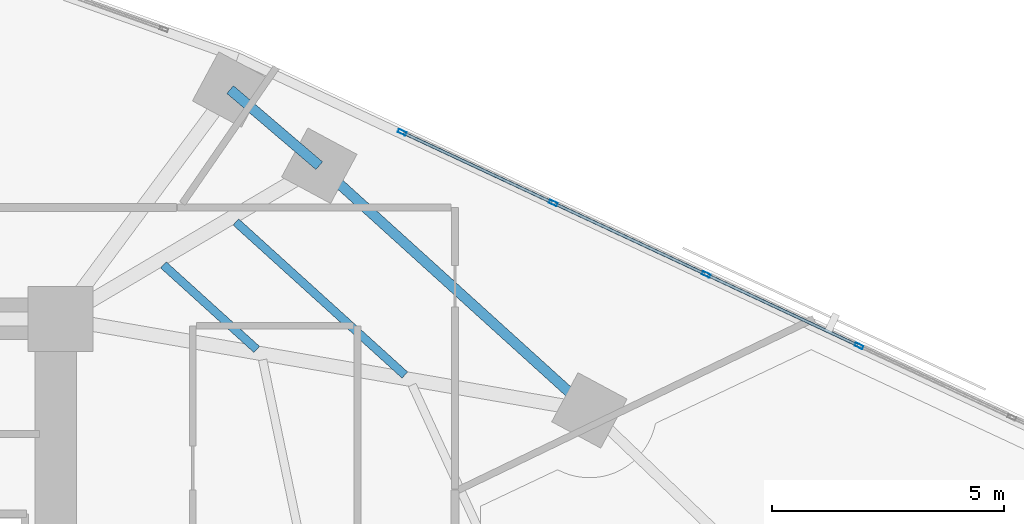
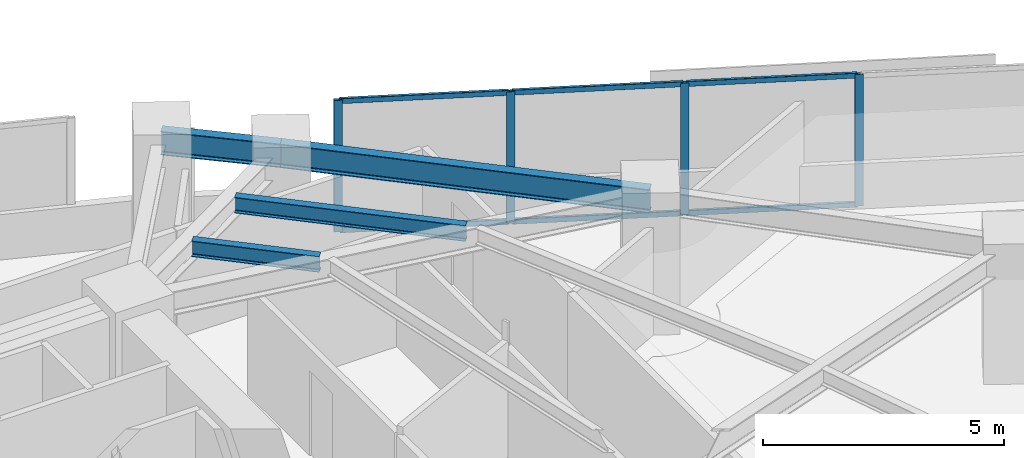
# One storey, part 4 of 16: 10 members, 4 beams, 1 element without a shape of its own.
"""IFC4 building model written with IfcOpenShell, lengths in metres."""

from ifc_helpers import new_model, si_unit, direction, frame, origin, origin_2d, place, context, subcontext, project, spatial, hollow_rectangle, i_section, extrude, material, material_profile, profile_set, type_object, element, aggregate, save


model = new_model("IFC4")

# Units and contexts
model_context = context("Model", 3, precision=1e-05, world=origin(), true_north=direction((0.0, 1.0)))
body_context = subcontext(model_context, "Body", "Model", "MODEL_VIEW")
ifc_project = project(units=[si_unit("LENGTHUNIT", "METRE"), si_unit("AREAUNIT", "SQUARE_METRE"), si_unit("VOLUMEUNIT", "CUBIC_METRE"), si_unit("PLANEANGLEUNIT", "RADIAN"), si_unit("MASSUNIT", "GRAM", prefix="KILO")], contexts=[model_context])

# Site, building, storey
site_placement = place(None, origin())
site = spatial("IfcSite", under=ifc_project, at=site_placement, CompositionType="ELEMENT")
building_placement = place(site_placement, origin())
building = spatial("IfcBuilding", under=site, at=building_placement, Name="Narakoshi Arena Tower", CompositionType="ELEMENT")
storey_placement = place(building_placement, frame((0.0, 0.0, 146.699951171875)))
storey = spatial("IfcBuildingStorey", under=building, at=storey_placement, Name="L39", CompositionType="ELEMENT", Elevation=146.699951171875)

# Beams
ifc_material_1 = material(Name="Structural steel S355J2", Category="steel")
ifc_material_profile_1 = material_profile(ifc_material_1, i_section(OverallWidth=0.219970703125, OverallDepth=0.60009765625, WebThickness=0.011962890625, FlangeThickness=0.01904296875, FilletRadius=0.02392578125, at=origin_2d()), Name="IPE600")
ifc_profile_set_1 = profile_set([ifc_material_profile_1], Name="Structural steel S355J2")
beam_type_1 = type_object("IfcBeamType", Name="BM-EDGE-600", PredefinedType="BEAM", material=ifc_profile_set_1)
beam_1_placement = place(storey_placement, frame((96.9443359375, 54.528076171875, 3.0400390625), z_axis=(-0.741140720169, 0.671349709844, 0.0), x_axis=(-0.671349709844, -0.741140720169, 0.0)))
element("IfcBeam", 1, at=beam_1_placement, inside=storey, type_object=beam_type_1, Name="L39 Perimeter Edge Girder 06", PredefinedType="BEAM", context=body_context, shape_type="SweptSolid", body=[
    extrude(i_section(OverallWidth=0.219970703125, OverallDepth=0.60009765625, WebThickness=0.011962890625, FlangeThickness=0.01904296875, FilletRadius=0.02392578125, at=origin_2d()), origin(), (0.0, 0.0, 1.0), 7.849853515625),
])
beam_2_placement = place(storey_placement, frame((91.12646484375, 59.798095703125, 3.0400390625), z_axis=(-0.760388602298, 0.649468377595, 0.0), x_axis=(-0.649468377595, -0.760388602298, 0.0)))
element("IfcBeam", 2, at=beam_2_placement, inside=storey, type_object=beam_type_1, Name="L39 Perimeter Edge Girder 07", PredefinedType="BEAM", context=body_context, shape_type="SweptSolid", body=[
    extrude(i_section(OverallWidth=0.219970703125, OverallDepth=0.60009765625, WebThickness=0.011962890625, FlangeThickness=0.01904296875, FilletRadius=0.02392578125, at=origin_2d()), origin(), (0.0, 0.0, 1.0), 2.524658203125),
])
ifc_material_profile_2 = material_profile(ifc_material_1, i_section(OverallWidth=0.179931640625, OverallDepth=0.39990234375, WebThickness=0.008544921875, FlangeThickness=0.013427734375, FilletRadius=0.02099609375, at=origin_2d()), Name="IPE400")
ifc_profile_set_2 = profile_set([ifc_material_profile_2], Name="Structural steel S355J2")
beam_type_2 = type_object("IfcBeamType", Name="BM-SEC-400", PredefinedType="JOIST", material=ifc_profile_set_2)
beam_3_placement = place(storey_placement, frame((89.77978515625, 55.84130859375, 3.14013671875), z_axis=(-0.741160441586, 0.671327937619, 0.0), x_axis=(-0.671327937619, -0.741160441586, 0.0)))
element("IfcBeam", 3, at=beam_3_placement, inside=storey, type_object=beam_type_2, Name="L39 Composite Secondary Floor Joist 05", PredefinedType="JOIST", context=body_context, shape_type="SweptSolid", body=[
    extrude(i_section(OverallWidth=0.179931640625, OverallDepth=0.39990234375, WebThickness=0.008544921875, FlangeThickness=0.013427734375, FilletRadius=0.02099609375, at=origin_2d()), origin(), (0.0, 0.0, 1.0), 2.712890625),
])
beam_4_placement = place(storey_placement, frame((92.97021484375, 55.289306640625, 3.14013671875), z_axis=(-0.741144631446, 0.67134539194, 0.0), x_axis=(-0.67134539194, -0.741144631446, 0.0)))
element("IfcBeam", 4, at=beam_4_placement, inside=storey, type_object=beam_type_2, Name="L39 Composite Secondary Floor Joist 06", PredefinedType="JOIST", context=body_context, shape_type="SweptSolid", body=[
    extrude(i_section(OverallWidth=0.179931640625, OverallDepth=0.39990234375, WebThickness=0.008544921875, FlangeThickness=0.013427734375, FilletRadius=0.02099609375, at=origin_2d()), origin(), (0.0, 0.0, 1.0), 4.910888671875),
])

# Curtain wall, members
ifc_material_2 = material(Name="Anodised bronze aluminium 6063-T6", Category="aluminium")
curtain_wall_type = type_object("IfcCurtainWallType", Name="CW-HYP-MID", PredefinedType="NOTDEFINED", material=ifc_material_2)
curtain_wall_placement = place(storey_placement, origin())
curtain_wall = element("IfcCurtainWall", 5, at=curtain_wall_placement, inside=storey, type_object=curtain_wall_type, Name="L39 Folded Hypotenuse Curtain Wall 1-1", PredefinedType="NOTDEFINED")
ifc_material_profile_3 = material_profile(ifc_material_2, hollow_rectangle(XDim=0.074951171875, YDim=0.179931640625, WallThickness=0.00390625, OuterFilletRadius=0.0048828125, at=origin_2d()), Name="MUL180x75x4")
ifc_profile_set_3 = profile_set([ifc_material_profile_3], Name="Anodised bronze aluminium 6063-T6")
member_type_1 = type_object("IfcMemberType", Name="MEM-MUL-180", PredefinedType="MULLION", material=ifc_profile_set_3)
member_1_placement = place(storey_placement, frame((102.75048828125, 55.917236328125, 0.0), z_axis=(0.0, 0.0, 1.0), x_axis=(-0.423531721612, -0.905881273009, 0.0)))
member_1 = element("IfcMember", 6, at=member_1_placement, type_object=member_type_1, Name="CW-02 mullion 6", PredefinedType="MULLION", context=body_context, shape_type="SweptSolid", body=[
    extrude(hollow_rectangle(XDim=0.074951171875, YDim=0.179931640625, WallThickness=0.00390625, OuterFilletRadius=0.0048828125, at=origin_2d()), origin(), (0.0, 0.0, 1.0), 3.340087890625),
])
member_2_placement = place(storey_placement, frame((99.458984375, 57.4560546875, 0.0), z_axis=(0.0, 0.0, 1.0), x_axis=(-0.423531721612, -0.905881273009, 0.0)))
member_2 = element("IfcMember", 7, at=member_2_placement, type_object=member_type_1, Name="CW-02 mullion 7", PredefinedType="MULLION", context=body_context, shape_type="SweptSolid", body=[
    extrude(hollow_rectangle(XDim=0.074951171875, YDim=0.179931640625, WallThickness=0.00390625, OuterFilletRadius=0.0048828125, at=origin_2d()), origin(), (0.0, 0.0, 1.0), 3.340087890625),
])
member_3_placement = place(storey_placement, frame((96.16748046875, 58.994873046875, 0.0), z_axis=(0.0, 0.0, 1.0), x_axis=(-0.423531721612, -0.905881273009, 0.0)))
member_3 = element("IfcMember", 8, at=member_3_placement, type_object=member_type_1, Name="CW-02 mullion 8", PredefinedType="MULLION", context=body_context, shape_type="SweptSolid", body=[
    extrude(hollow_rectangle(XDim=0.074951171875, YDim=0.179931640625, WallThickness=0.00390625, OuterFilletRadius=0.0048828125, at=origin_2d()), origin(), (0.0, 0.0, 1.0), 3.340087890625),
])
member_4_placement = place(storey_placement, frame((92.91015625, 60.517822265625, 0.0), z_axis=(0.0, 0.0, 1.0), x_axis=(-0.423531721612, -0.905881273009, 0.0)))
member_4 = element("IfcMember", 9, at=member_4_placement, type_object=member_type_1, Name="CW-02 mullion 9", PredefinedType="MULLION", context=body_context, shape_type="SweptSolid", body=[
    extrude(hollow_rectangle(XDim=0.074951171875, YDim=0.179931640625, WallThickness=0.00390625, OuterFilletRadius=0.0048828125, at=origin_2d()), origin(), (0.0, 0.0, 1.0), 3.340087890625),
])
ifc_material_profile_4 = material_profile(ifc_material_2, hollow_rectangle(XDim=0.06494140625, YDim=0.1298828125, WallThickness=0.00390625, OuterFilletRadius=0.0048828125, at=origin_2d()), Name="TRN130x65x4")
ifc_profile_set_4 = profile_set([ifc_material_profile_4], Name="Anodised bronze aluminium 6063-T6")
member_type_2 = type_object("IfcMemberType", Name="MEM-TRN-130", PredefinedType="USERDEFINED", material=ifc_profile_set_4)
member_5_placement = place(storey_placement, frame((102.716552734375, 55.93310546875, 0.032470703125), z_axis=(-0.905877908574, 0.423538917642, 0.0), x_axis=(-0.423538917642, -0.905877908574, 0.0)))
member_5 = element("IfcMember", 10, at=member_5_placement, type_object=member_type_2, Name="CW-02 transom 6.1", ObjectType="TRANSOM", PredefinedType="USERDEFINED", context=body_context, shape_type="SweptSolid", body=[
    extrude(hollow_rectangle(XDim=0.06494140625, YDim=0.1298828125, WallThickness=0.00390625, OuterFilletRadius=0.0048828125, at=origin_2d()), origin(), (0.0, 0.0, 1.0), 3.558349609375),
])
member_6_placement = place(storey_placement, frame((102.716552734375, 55.93310546875, 3.3076171875), z_axis=(-0.905877908574, 0.423538917642, 0.0), x_axis=(-0.423538917642, -0.905877908574, 0.0)))
member_6 = element("IfcMember", 11, at=member_6_placement, type_object=member_type_2, Name="CW-02 transom 6.2", ObjectType="TRANSOM", PredefinedType="USERDEFINED", context=body_context, shape_type="SweptSolid", body=[
    extrude(hollow_rectangle(XDim=0.06494140625, YDim=0.1298828125, WallThickness=0.00390625, OuterFilletRadius=0.0048828125, at=origin_2d()), origin(), (0.0, 0.0, 1.0), 3.558349609375),
])
member_7_placement = place(storey_placement, frame((99.425048828125, 57.471923828125, 0.032470703125), z_axis=(-0.905877908574, 0.423538917642, 0.0), x_axis=(-0.423538917642, -0.905877908574, 0.0)))
member_7 = element("IfcMember", 12, at=member_7_placement, type_object=member_type_2, Name="CW-02 transom 7.1", ObjectType="TRANSOM", PredefinedType="USERDEFINED", context=body_context, shape_type="SweptSolid", body=[
    extrude(hollow_rectangle(XDim=0.06494140625, YDim=0.1298828125, WallThickness=0.00390625, OuterFilletRadius=0.0048828125, at=origin_2d()), origin(), (0.0, 0.0, 1.0), 3.558349609375),
])
member_8_placement = place(storey_placement, frame((99.425048828125, 57.471923828125, 3.3076171875), z_axis=(-0.905877908574, 0.423538917642, 0.0), x_axis=(-0.423538917642, -0.905877908574, 0.0)))
member_8 = element("IfcMember", 13, at=member_8_placement, type_object=member_type_2, Name="CW-02 transom 7.2", ObjectType="TRANSOM", PredefinedType="USERDEFINED", context=body_context, shape_type="SweptSolid", body=[
    extrude(hollow_rectangle(XDim=0.06494140625, YDim=0.1298828125, WallThickness=0.00390625, OuterFilletRadius=0.0048828125, at=origin_2d()), origin(), (0.0, 0.0, 1.0), 3.558349609375),
])
member_9_placement = place(storey_placement, frame((96.133544921875, 59.0107421875, 0.032470703125), z_axis=(-0.9058782068, 0.423538279787, 0.0), x_axis=(-0.423538279787, -0.9058782068, 0.0)))
member_9 = element("IfcMember", 14, at=member_9_placement, type_object=member_type_2, Name="CW-02 transom 8.1", ObjectType="TRANSOM", PredefinedType="USERDEFINED", context=body_context, shape_type="SweptSolid", body=[
    extrude(hollow_rectangle(XDim=0.06494140625, YDim=0.1298828125, WallThickness=0.00390625, OuterFilletRadius=0.0048828125, at=origin_2d()), origin(), (0.0, 0.0, 1.0), 3.520751953125),
])
member_10_placement = place(storey_placement, frame((96.133544921875, 59.0107421875, 3.3076171875), z_axis=(-0.9058782068, 0.423538279787, 0.0), x_axis=(-0.423538279787, -0.9058782068, 0.0)))
member_10 = element("IfcMember", 15, at=member_10_placement, type_object=member_type_2, Name="CW-02 transom 8.2", ObjectType="TRANSOM", PredefinedType="USERDEFINED", context=body_context, shape_type="SweptSolid", body=[
    extrude(hollow_rectangle(XDim=0.06494140625, YDim=0.1298828125, WallThickness=0.00390625, OuterFilletRadius=0.0048828125, at=origin_2d()), origin(), (0.0, 0.0, 1.0), 3.520751953125),
])
aggregate(curtain_wall, [member_1, member_2, member_3, member_4, member_5, member_6, member_7, member_8, member_9, member_10])

save(model, "model.ifc")
